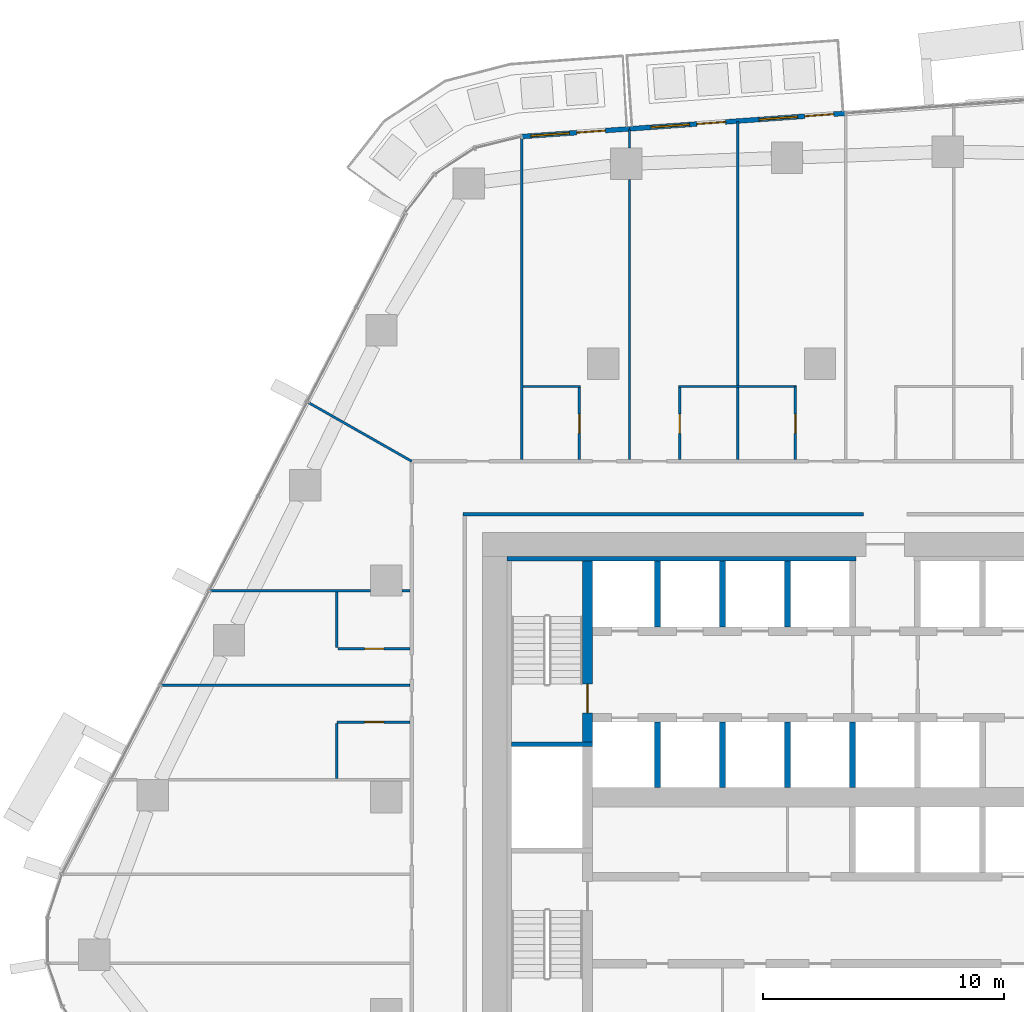
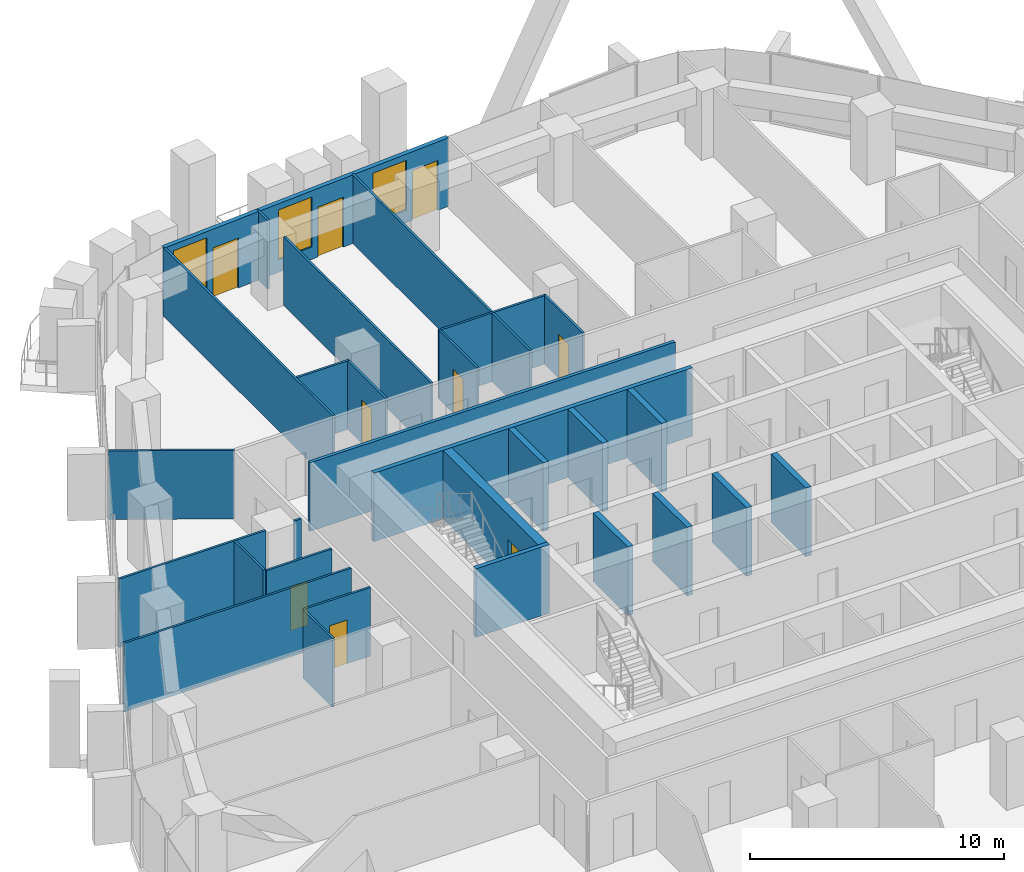
# One storey, part 15 of 24: 31 walls, 9 doors, 3 windows, 12 openings.
"""IFC4 building model written with IfcOpenShell, lengths in metres."""

from ifc_helpers import new_model, si_unit, direction, frame, frame_2d, origin, place, context, subcontext, project, spatial, rectangle, extrude, material, layer, layer_set, type_object, element, fill, save


model = new_model("IFC4")

# Units and contexts
model_context = context("Model", 3, precision=1e-05, world=origin(), true_north=direction((0.0, 1.0)))
body_context = subcontext(model_context, "Body", "Model", "MODEL_VIEW")
ifc_project = project(units=[si_unit("LENGTHUNIT", "METRE"), si_unit("AREAUNIT", "SQUARE_METRE"), si_unit("VOLUMEUNIT", "CUBIC_METRE"), si_unit("PLANEANGLEUNIT", "RADIAN"), si_unit("MASSUNIT", "GRAM", prefix="KILO")], contexts=[model_context])

# Site, building, storey
site_placement = place(None, origin())
site = spatial("IfcSite", under=ifc_project, at=site_placement, CompositionType="ELEMENT")
building_placement = place(site_placement, origin())
building = spatial("IfcBuilding", under=site, at=building_placement, Name="Dongbaek Canopy Tower", CompositionType="ELEMENT")
storey_placement = place(building_placement, frame((0.0, 0.0, 113.699951171875)))
storey = spatial("IfcBuildingStorey", under=building, at=storey_placement, Name="L24", CompositionType="ELEMENT", Elevation=113.699951171875)

# Walls
ifc_material_1 = material(Name="Concrete C60/75", Category="concrete")
ifc_layer_1 = layer(ifc_material_1, 0.199951171875)
ifc_layer_set_1 = layer_set([ifc_layer_1], Name="Core wall lining 200 Concrete C60/75")
wall_type_1 = type_object("IfcWallType", Name="Core wall lining 200 Concrete C60/75", PredefinedType="SHEAR", material=ifc_layer_set_1)
wall_1_placement = place(storey_placement, frame((-13.0, 9.89990234375, 0.0), z_axis=(0.0, 0.0, 1.0), x_axis=(1.0, 0.0, 0.0)))
element("IfcWall", 1, at=wall_1_placement, inside=storey, type_object=wall_type_1, Name="Core wall lining", PredefinedType="SHEAR", context=body_context, shape_type="SweptSolid", body=[
    extrude(rectangle(XDim=14.5, YDim=0.199951171875, at=frame_2d((7.25, 0.0))), origin(), (0.0, 0.0, 1.0), 3.300048828125),
])
ifc_material_2 = material(Name="Gypsum board partition, steel stud, 2 x 15 mm fire board", Category="steel")
ifc_layer_2 = layer(ifc_material_2, 0.14990234375)
ifc_layer_set_2 = layer_set([ifc_layer_2], Name="Fire-rated partition 150 gypsum board")
wall_type_2 = type_object("IfcWallType", Name="Fire-rated partition 150 gypsum board", PredefinedType="PARTITIONING", material=ifc_layer_set_2)
wall_2_placement = place(storey_placement, frame((-14.824951171875, 11.75, 0.0), z_axis=(0.0, 0.0, 1.0), x_axis=(1.0, 0.0, 0.0)))
element("IfcWall", 2, at=wall_2_placement, inside=storey, type_object=wall_type_2, Name="Corridor partition", PredefinedType="PARTITIONING", context=body_context, shape_type="SweptSolid", body=[
    extrude(rectangle(XDim=16.625, YDim=0.14990234375, at=frame_2d((8.3125, 0.0))), origin(), (0.0, 0.0, 1.0), 3.300048828125),
])
ifc_material_3 = material(Name="Concrete C40/50", Category="concrete")
ifc_layer_3 = layer(ifc_material_3, 0.25)
ifc_layer_set_3 = layer_set([ifc_layer_3], Name="Lift shaft wall 250 Concrete C40/50")
wall_type_3 = type_object("IfcWallType", Name="Lift shaft wall 250 Concrete C40/50", PredefinedType="SOLIDWALL", material=ifc_layer_set_3)
for number, where, z_axis, x_axis, name in (
    (3, (1.35009765625, 0.39990234375, 0.0), (0.0, 0.0, 1.0), (0.0, 1.0, 0.0), "Lift shaft wall"),
    (4, (-1.35009765625, 0.39990234375, 0.0), (0.0, 0.0, 1.0), (0.0, 1.0, 0.0), "Lift shaft wall"),
    (5, (-1.35009765625, 7.074951171875, 0.0), (0.0, 0.0, 1.0), (0.0, 1.0, 0.0), "Lift shaft wall"),
    (6, (-4.050048828125, 0.39990234375, 0.0), (0.0, 0.0, 1.0), (0.0, 1.0, 0.0), "Lift shaft wall"),
    (7, (-4.050048828125, 7.074951171875, 0.0), (0.0, 0.0, 1.0), (0.0, 1.0, 0.0), "Lift shaft wall"),
    (8, (-6.75, 0.39990234375, 0.0), (0.0, 0.0, 1.0), (0.0, 1.0, 0.0), "Lift shaft wall"),
    (9, (-6.75, 7.074951171875, 0.0), (0.0, 0.0, 1.0), (0.0, 1.0, 0.0), "Lift shaft wall"),
):
    element("IfcWall", number, at=place(storey_placement, frame(where, z_axis=z_axis, x_axis=x_axis)), inside=storey, type_object=wall_type_3, Name=name, PredefinedType="SOLIDWALL", context=body_context, shape_type="SweptSolid", body=[
        extrude(rectangle(XDim=2.72509765625, YDim=0.25, at=frame_2d((1.362548828125, 0.0))), origin(), (0.0, 0.0, 1.0), 3.300048828125),
    ])

# Wall, opening, door
ifc_material_4 = material(Name="Gypsum board partition, steel stud, 2 x 12.5 mm board", Category="steel")
ifc_layer_4 = layer(ifc_material_4, 0.10009765625)
ifc_layer_set_4 = layer_set([ifc_layer_4], Name="Partition 100 gypsum board")
wall_type_4 = type_object("IfcWallType", Name="Partition 100 gypsum board", PredefinedType="PARTITIONING", material=ifc_layer_set_4)
wall_3_placement = place(storey_placement, frame((-17.02490234375, 3.1240234375, 0.0), z_axis=(0.0, 0.0, 1.0), x_axis=(-1.0, 0.0, 0.0)))
wall_3 = element("IfcWall", 10, at=wall_3_placement, inside=storey, type_object=wall_type_4, Name="Partition", PredefinedType="PARTITIONING", context=body_context, shape_type="SweptSolid", body=[
    extrude(rectangle(XDim=3.025146484375, YDim=0.10009765625, at=frame_2d((1.5126953125, 0.0))), origin(), (0.0, 0.0, 1.0), 3.300048828125),
])
opening_1_placement = place(wall_3_placement, frame((1.074951171875, 0.0, 0.0)))
opening_1 = element("IfcOpeningElement", 11, at=opening_1_placement, cuts=wall_3, Name="Opening L24-D037", PredefinedType="OPENING", context=body_context, shape_type="SweptSolid", body=[
    extrude(rectangle(XDim=0.800048828125, YDim=2.10009765625, at=frame_2d((0.39990234375, 1.050048828125))), frame((0.0, 0.06005859375, 0.0), z_axis=(0.0, -1.0, 0.0), x_axis=(1.0, 0.0, 0.0)), (0.0, 0.0, 1.0), 0.1201171875),
])
ifc_material_5 = material(Name="Timber veneered door leaf", Category="wood")
door_type_1 = type_object("IfcDoorType", Name="En-suite door 800 x 2100", OperationType="SINGLE_SWING_LEFT", PredefinedType="DOOR", material=ifc_material_5)
door_1_placement = place(opening_1_placement, origin())
door_1 = element("IfcDoor", 12, at=door_1_placement, inside=storey, type_object=door_type_1, Name="Door L24-D037", OperationType="SINGLE_SWING_RIGHT", OverallHeight=2.10009765625, OverallWidth=0.800048828125, PredefinedType="DOOR", context=body_context, shape_type="SweptSolid", body=[
    extrude(rectangle(XDim=0.800048828125, YDim=2.10009765625, at=frame_2d((0.39990234375, 1.050048828125))), frame((0.0, 0.02490234375, 0.0), z_axis=(0.0, -1.0, 0.0), x_axis=(1.0, 0.0, 0.0)), (0.0, 0.0, 1.0), 0.050048828125),
])
fill(opening_1, door_1)

# Wall
wall_4_placement = place(storey_placement, frame((-27.369140625, 4.64599609375, 0.0), z_axis=(0.0, 0.0, 1.0), x_axis=(1.0, 0.0, 0.0)))
element("IfcWall", 13, at=wall_4_placement, inside=storey, type_object=wall_type_4, Name="Partition", PredefinedType="PARTITIONING", context=body_context, shape_type="SweptSolid", body=[
    extrude(rectangle(XDim=10.34423828125, YDim=0.10009765625, at=frame_2d((5.172119140625, 0.0))), origin(), (0.0, 0.0, 1.0), 3.300048828125),
])

# Wall, opening, door
wall_5_placement = place(storey_placement, frame((-20.0, 6.16796875, 0.0), z_axis=(0.0, 0.0, 1.0), x_axis=(1.0, 0.0, 0.0)))
wall_5 = element("IfcWall", 14, at=wall_5_placement, inside=storey, type_object=wall_type_4, Name="Partition", PredefinedType="PARTITIONING", context=body_context, shape_type="SweptSolid", body=[
    extrude(rectangle(XDim=2.97509765625, YDim=0.10009765625, at=frame_2d((1.487548828125, 0.0))), origin(), (0.0, 0.0, 1.0), 3.300048828125),
])
opening_2_placement = place(wall_5_placement, frame((1.10009765625, 0.0, 0.0)))
opening_2 = element("IfcOpeningElement", 15, at=opening_2_placement, cuts=wall_5, Name="Opening L24-D035", PredefinedType="OPENING", context=body_context, shape_type="SweptSolid", body=[
    extrude(rectangle(XDim=0.800048828125, YDim=2.10009765625, at=frame_2d((0.39990234375, 1.050048828125))), frame((0.0, 0.06005859375, 0.0), z_axis=(0.0, -1.0, 0.0), x_axis=(1.0, 0.0, 0.0)), (0.0, 0.0, 1.0), 0.1201171875),
])
door_2_placement = place(opening_2_placement, origin())
door_2 = element("IfcDoor", 16, at=door_2_placement, inside=storey, type_object=door_type_1, Name="Door L24-D035", OperationType="SINGLE_SWING_LEFT", OverallHeight=2.10009765625, OverallWidth=0.800048828125, PredefinedType="DOOR", context=body_context, shape_type="SweptSolid", body=[
    extrude(rectangle(XDim=0.800048828125, YDim=2.10009765625, at=frame_2d((0.39990234375, 1.050048828125))), frame((0.0, 0.02490234375, 0.0), z_axis=(0.0, -1.0, 0.0), x_axis=(1.0, 0.0, 0.0)), (0.0, 0.0, 1.0), 0.050048828125),
])
fill(opening_2, door_2)

# Walls
wall_6_placement = place(storey_placement, frame((-25.33251953125, 8.568115234375, 0.0), z_axis=(0.0, 0.0, 1.0), x_axis=(1.0, 0.0, 0.0)))
element("IfcWall", 17, at=wall_6_placement, inside=storey, type_object=wall_type_4, Name="Partition", PredefinedType="PARTITIONING", context=body_context, shape_type="SweptSolid", body=[
    extrude(rectangle(XDim=6.6826171875, YDim=0.10009765625, at=frame_2d((3.34130859375, 0.0))), origin(), (0.0, 0.0, 1.0), 3.300048828125),
])
wall_7_placement = place(storey_placement, frame((-17.35009765625, 8.568115234375, 0.0), z_axis=(0.0, 0.0, 1.0), x_axis=(1.0, 0.0, 0.0)))
element("IfcWall", 18, at=wall_7_placement, inside=storey, type_object=wall_type_4, Name="Partition", PredefinedType="PARTITIONING", context=body_context, shape_type="SweptSolid", body=[
    extrude(rectangle(XDim=0.3251953125, YDim=0.10009765625, at=frame_2d((0.16259765625, 0.0))), origin(), (0.0, 0.0, 1.0), 3.300048828125),
])
wall_8_placement = place(storey_placement, frame((-12.3369140625, 17.050048828125, 0.0), z_axis=(0.0, 0.0, 1.0), x_axis=(1.0, 0.0, 0.0)))
element("IfcWall", 19, at=wall_8_placement, inside=storey, type_object=wall_type_4, Name="Partition", PredefinedType="PARTITIONING", context=body_context, shape_type="SweptSolid", body=[
    extrude(rectangle(XDim=2.400146484375, YDim=0.10009765625, at=frame_2d((1.2001953125, 0.0))), origin(), (0.0, 0.0, 1.0), 3.300048828125),
])
wall_9_placement = place(storey_placement, frame((-5.873046875, 17.050048828125, 0.0), z_axis=(0.0, 0.0, 1.0), x_axis=(1.0, 0.0, 0.0)))
element("IfcWall", 20, at=wall_9_placement, inside=storey, type_object=wall_type_4, Name="Partition", PredefinedType="PARTITIONING", context=body_context, shape_type="SweptSolid", body=[
    extrude(rectangle(XDim=4.89990234375, YDim=0.10009765625, at=frame_2d((2.449951171875, 0.0))), origin(), (0.0, 0.0, 1.0), 3.300048828125),
])

# Wall, opening, door
wall_10_placement = place(storey_placement, frame((-1.02294921875, 14.02490234375, 0.0), z_axis=(0.0, 0.0, 1.0), x_axis=(0.0, 1.0, 0.0)))
wall_10 = element("IfcWall", 21, at=wall_10_placement, inside=storey, type_object=wall_type_4, Name="Partition", PredefinedType="PARTITIONING", context=body_context, shape_type="SweptSolid", body=[
    extrude(rectangle(XDim=3.025146484375, YDim=0.10009765625, at=frame_2d((1.5126953125, 0.0))), origin(), (0.0, 0.0, 1.0), 3.300048828125),
])
opening_3_placement = place(wall_10_placement, frame((1.074951171875, 0.0, 0.0)))
opening_3 = element("IfcOpeningElement", 22, at=opening_3_placement, cuts=wall_10, Name="Opening L24-D027", PredefinedType="OPENING", context=body_context, shape_type="SweptSolid", body=[
    extrude(rectangle(XDim=0.800048828125, YDim=2.10009765625, at=frame_2d((0.39990234375, 1.050048828125))), frame((0.0, 0.06005859375, 0.0), z_axis=(0.0, -1.0, 0.0), x_axis=(1.0, 0.0, 0.0)), (0.0, 0.0, 1.0), 0.1201171875),
])
door_3_placement = place(opening_3_placement, origin())
door_3 = element("IfcDoor", 23, at=door_3_placement, inside=storey, type_object=door_type_1, Name="Door L24-D027", OperationType="SINGLE_SWING_RIGHT", OverallHeight=2.10009765625, OverallWidth=0.800048828125, PredefinedType="DOOR", context=body_context, shape_type="SweptSolid", body=[
    extrude(rectangle(XDim=0.800048828125, YDim=2.10009765625, at=frame_2d((0.39990234375, 1.050048828125))), frame((0.0, 0.02490234375, 0.0), z_axis=(0.0, -1.0, 0.0), x_axis=(1.0, 0.0, 0.0)), (0.0, 0.0, 1.0), 0.050048828125),
])
fill(opening_3, door_3)

# Walls
wall_11_placement = place(storey_placement, frame((-3.423095703125, 14.02490234375, 0.0), z_axis=(0.0, 0.0, 1.0), x_axis=(0.0, 1.0, 0.0)))
element("IfcWall", 24, at=wall_11_placement, inside=storey, type_object=wall_type_4, Name="Partition", PredefinedType="PARTITIONING", context=body_context, shape_type="SweptSolid", body=[
    extrude(rectangle(XDim=2.97509765625, YDim=0.10009765625, at=frame_2d((1.487548828125, 0.0))), origin(), (0.0, 0.0, 1.0), 3.300048828125),
])
wall_12_placement = place(storey_placement, frame((-3.423095703125, 17.10009765625, 0.0), z_axis=(0.0, 0.0, 1.0), x_axis=(0.0, 1.0, 0.0)))
element("IfcWall", 25, at=wall_12_placement, inside=storey, type_object=wall_type_4, Name="Partition", PredefinedType="PARTITIONING", context=body_context, shape_type="SweptSolid", body=[
    extrude(rectangle(XDim=10.946044921875, YDim=0.10009765625, at=frame_2d((5.47314453125, 0.0))), origin(), (0.0, 0.0, 1.0), 3.300048828125),
])

# Wall, opening, door
wall_13_placement = place(storey_placement, frame((-5.822998046875, 17.0, 0.0), z_axis=(0.0, 0.0, 1.0), x_axis=(0.0, -1.0, 0.0)))
wall_13 = element("IfcWall", 26, at=wall_13_placement, inside=storey, type_object=wall_type_4, Name="Partition", PredefinedType="PARTITIONING", context=body_context, shape_type="SweptSolid", body=[
    extrude(rectangle(XDim=2.97509765625, YDim=0.10009765625, at=frame_2d((1.487548828125, 0.0))), origin(), (0.0, 0.0, 1.0), 3.300048828125),
])
opening_4_placement = place(wall_13_placement, frame((1.10009765625, 0.0, 0.0)))
opening_4 = element("IfcOpeningElement", 27, at=opening_4_placement, cuts=wall_13, Name="Opening L24-D029", PredefinedType="OPENING", context=body_context, shape_type="SweptSolid", body=[
    extrude(rectangle(XDim=0.800048828125, YDim=2.10009765625, at=frame_2d((0.39990234375, 1.050048828125))), frame((0.0, 0.06005859375, 0.0), z_axis=(0.0, -1.0, 0.0), x_axis=(1.0, 0.0, 0.0)), (0.0, 0.0, 1.0), 0.1201171875),
])
door_4_placement = place(opening_4_placement, origin())
door_4 = element("IfcDoor", 28, at=door_4_placement, inside=storey, type_object=door_type_1, Name="Door L24-D029", OperationType="SINGLE_SWING_LEFT", OverallHeight=2.10009765625, OverallWidth=0.800048828125, PredefinedType="DOOR", context=body_context, shape_type="SweptSolid", body=[
    extrude(rectangle(XDim=0.800048828125, YDim=2.10009765625, at=frame_2d((0.39990234375, 1.050048828125))), frame((0.0, 0.02490234375, 0.0), z_axis=(0.0, -1.0, 0.0), x_axis=(1.0, 0.0, 0.0)), (0.0, 0.0, 1.0), 0.050048828125),
])
fill(opening_4, door_4)

# Walls
wall_14_placement = place(storey_placement, frame((-7.908935546875, 14.02490234375, 0.0), z_axis=(0.0, 0.0, 1.0), x_axis=(0.0, 1.0, 0.0)))
element("IfcWall", 29, at=wall_14_placement, inside=storey, type_object=wall_type_4, Name="Partition", PredefinedType="PARTITIONING", context=body_context, shape_type="SweptSolid", body=[
    extrude(rectangle(XDim=11.613037109375, YDim=0.10009765625, at=frame_2d((5.806640625, 0.0))), origin(), (0.0, 0.0, 1.0), 3.300048828125),
])
wall_15_placement = place(storey_placement, frame((-7.908935546875, 26.93798828125, 0.0), z_axis=(0.0, 0.0, 1.0), x_axis=(0.0, 1.0, 0.0)))
element("IfcWall", 30, at=wall_15_placement, inside=storey, type_object=wall_type_4, Name="Partition", PredefinedType="PARTITIONING", context=body_context, shape_type="SweptSolid", body=[
    extrude(rectangle(XDim=0.785400390625, YDim=0.10009765625, at=frame_2d((0.392578125, 0.0))), origin(), (0.0, 0.0, 1.0), 3.300048828125),
])

# Wall, opening, door
wall_16_placement = place(storey_placement, frame((-9.987060546875, 14.02490234375, 0.0), z_axis=(0.0, 0.0, 1.0), x_axis=(0.0, 1.0, 0.0)))
wall_16 = element("IfcWall", 31, at=wall_16_placement, inside=storey, type_object=wall_type_4, Name="Partition", PredefinedType="PARTITIONING", context=body_context, shape_type="SweptSolid", body=[
    extrude(rectangle(XDim=2.97509765625, YDim=0.10009765625, at=frame_2d((1.487548828125, 0.0))), origin(), (0.0, 0.0, 1.0), 3.300048828125),
])
opening_5_placement = place(wall_16_placement, frame((1.074951171875, 0.0, 0.0)))
opening_5 = element("IfcOpeningElement", 32, at=opening_5_placement, cuts=wall_16, Name="Opening L24-D031", PredefinedType="OPENING", context=body_context, shape_type="SweptSolid", body=[
    extrude(rectangle(XDim=0.800048828125, YDim=2.10009765625, at=frame_2d((0.39990234375, 1.050048828125))), frame((0.0, 0.06005859375, 0.0), z_axis=(0.0, -1.0, 0.0), x_axis=(1.0, 0.0, 0.0)), (0.0, 0.0, 1.0), 0.1201171875),
])
door_5_placement = place(opening_5_placement, origin())
door_5 = element("IfcDoor", 33, at=door_5_placement, inside=storey, type_object=door_type_1, Name="Door L24-D031", OperationType="SINGLE_SWING_RIGHT", OverallHeight=2.10009765625, OverallWidth=0.800048828125, PredefinedType="DOOR", context=body_context, shape_type="SweptSolid", body=[
    extrude(rectangle(XDim=0.800048828125, YDim=2.10009765625, at=frame_2d((0.39990234375, 1.050048828125))), frame((0.0, 0.02490234375, 0.0), z_axis=(0.0, -1.0, 0.0), x_axis=(1.0, 0.0, 0.0)), (0.0, 0.0, 1.0), 0.050048828125),
])
fill(opening_5, door_5)

# Walls
wall_17_placement = place(storey_placement, frame((-12.386962890625, 14.02490234375, 0.0), z_axis=(0.0, 0.0, 1.0), x_axis=(0.0, 1.0, 0.0)))
element("IfcWall", 34, at=wall_17_placement, inside=storey, type_object=wall_type_4, Name="Partition", PredefinedType="PARTITIONING", context=body_context, shape_type="SweptSolid", body=[
    extrude(rectangle(XDim=13.3759765625, YDim=0.10009765625, at=frame_2d((6.68798828125, 0.0))), origin(), (0.0, 0.0, 1.0), 3.300048828125),
])
wall_18_placement = place(storey_placement, frame((-20.050048828125, 0.77392578125, 0.0), z_axis=(0.0, 0.0, 1.0), x_axis=(0.0, 1.0, 0.0)))
element("IfcWall", 35, at=wall_18_placement, inside=storey, type_object=wall_type_4, Name="Partition", PredefinedType="PARTITIONING", context=body_context, shape_type="SweptSolid", body=[
    extrude(rectangle(XDim=2.300048828125, YDim=0.10009765625, at=frame_2d((1.14990234375, 0.0))), origin(), (0.0, 0.0, 1.0), 3.300048828125),
])
wall_19_placement = place(storey_placement, frame((-20.050048828125, 6.2177734375, 0.0), z_axis=(0.0, 0.0, 1.0), x_axis=(0.0, 1.0, 0.0)))
element("IfcWall", 36, at=wall_19_placement, inside=storey, type_object=wall_type_4, Name="Partition", PredefinedType="PARTITIONING", context=body_context, shape_type="SweptSolid", body=[
    extrude(rectangle(XDim=2.2998046875, YDim=0.10009765625, at=frame_2d((1.14990234375, 0.0))), origin(), (0.0, 0.0, 1.0), 3.300048828125),
])
wall_20_placement = place(storey_placement, frame((-21.26416015625, 16.4013671875, 0.0), z_axis=(0.0, 0.0, 1.0), x_axis=(0.869409483432, -0.494092248592, 0.0)))
element("IfcWall", 37, at=wall_20_placement, inside=storey, type_object=wall_type_4, Name="Partition", PredefinedType="PARTITIONING", context=body_context, shape_type="SweptSolid", body=[
    extrude(rectangle(XDim=4.9619140625, YDim=0.10009765625, at=frame_2d((2.48095703125, 0.0))), origin(), (0.0, 0.0, 1.0), 3.300048828125),
])
ifc_material_6 = material(Name="Concrete C60/75", Category="concrete")
ifc_layer_5 = layer(ifc_material_6, 0.199951171875)
ifc_layer_set_5 = layer_set([ifc_layer_5], Name="Riser wall 200 Concrete C60/75")
wall_type_5 = type_object("IfcWallType", Name="Riser wall 200 Concrete C60/75", PredefinedType="SHEAR", material=ifc_layer_set_5)
wall_21_placement = place(storey_placement, frame((-9.449951171875, 2.199951171875, 0.0), z_axis=(0.0, 0.0, 1.0), x_axis=(-1.0, 0.0, 0.0)))
element("IfcWall", 38, at=wall_21_placement, inside=storey, type_object=wall_type_5, Name="Riser wall", PredefinedType="SHEAR", context=body_context, shape_type="SweptSolid", body=[
    extrude(rectangle(XDim=3.35009765625, YDim=0.199951171875, at=frame_2d((1.675048828125, 0.0))), origin(), (0.0, 0.0, 1.0), 3.300048828125),
])

# Wall, opening, door
ifc_material_7 = material(Name="Concrete C60/75", Category="concrete")
ifc_layer_6 = layer(ifc_material_7, 0.39990234375)
ifc_layer_set_6 = layer_set([ifc_layer_6], Name="Stair wall 400 Concrete C60/75")
wall_type_6 = type_object("IfcWallType", Name="Stair wall 400 Concrete C60/75", PredefinedType="SHEAR", material=ifc_layer_set_6)
wall_22_placement = place(storey_placement, frame((-9.64990234375, 2.300048828125, 0.0), z_axis=(0.0, 0.0, 1.0), x_axis=(0.0, 1.0, 0.0)))
wall_22 = element("IfcWall", 39, at=wall_22_placement, inside=storey, type_object=wall_type_6, Name="Stair wall", PredefinedType="SHEAR", context=body_context, shape_type="SweptSolid", body=[
    extrude(rectangle(XDim=7.5, YDim=0.39990234375, at=frame_2d((3.75, 0.0))), origin(), (0.0, 0.0, 1.0), 3.300048828125),
])
opening_6_placement = place(wall_22_placement, frame((1.199951171875, 0.0, 0.0)))
opening_6 = element("IfcOpeningElement", 40, at=opening_6_placement, cuts=wall_22, Name="Opening L24-D066", PredefinedType="OPENING", context=body_context, shape_type="SweptSolid", body=[
    extrude(rectangle(XDim=1.199951171875, YDim=2.10009765625, at=frame_2d((0.60009765625, 1.050048828125))), frame((0.0, 0.2099609375, 0.0), z_axis=(0.0, -1.0, 0.0), x_axis=(1.0, 0.0, 0.0)), (0.0, 0.0, 1.0), 0.419921875),
])
ifc_material_8 = material(Name="Steel", Category="steel")
door_type_2 = type_object("IfcDoorType", Name="Stair door 1200 x 2100", OperationType="SINGLE_SWING_LEFT", PredefinedType="DOOR", material=ifc_material_8)
door_6_placement = place(opening_6_placement, origin())
door_6 = element("IfcDoor", 41, at=door_6_placement, inside=storey, type_object=door_type_2, Name="Stair C door", OperationType="SINGLE_SWING_RIGHT", OverallHeight=2.10009765625, OverallWidth=1.199951171875, PredefinedType="DOOR", context=body_context, shape_type="SweptSolid", body=[
    extrude(rectangle(XDim=1.199951171875, YDim=2.10009765625, at=frame_2d((0.60009765625, 1.050048828125))), frame((0.0, 0.02490234375, 0.0), z_axis=(0.0, -1.0, 0.0), x_axis=(1.0, 0.0, 0.0)), (0.0, 0.0, 1.0), 0.050048828125),
])
fill(opening_6, door_6)

# Wall, openings, doors, windows
ifc_material_9 = material(Name="Aluminium window wall", Category="aluminium")
ifc_layer_7 = layer(ifc_material_9, 0.199951171875)
ifc_layer_set_7 = layer_set([ifc_layer_7], Name="Window wall 200")
wall_type_7 = type_object("IfcWallType", Name="Window wall 200", PredefinedType="SOLIDWALL", material=ifc_layer_set_7)
wall_23_placement = place(storey_placement, frame((1.06298828125, 28.388916015625, 0.0), z_axis=(0.0, 0.0, 1.0), x_axis=(-0.997421921005, -0.071760096847, 0.0)))
wall_23 = element("IfcWall", 42, at=wall_23_placement, inside=storey, type_object=wall_type_7, Name="Window wall L24 2", PredefinedType="SOLIDWALL", context=body_context, shape_type="SweptSolid", body=[
    extrude(rectangle(XDim=8.995361328125, YDim=0.199951171875, at=frame_2d((4.49755859375, 0.0))), origin(), (0.0, 0.0, 1.0), 3.300048828125),
])
opening_7_placement = place(wall_23_placement, frame((2.0, 0.0, 0.60009765625)))
opening_7 = element("IfcOpeningElement", 43, at=opening_7_placement, cuts=wall_23, Name="Opening W1", PredefinedType="OPENING", context=body_context, shape_type="SweptSolid", body=[
    extrude(rectangle(XDim=1.60009765625, YDim=2.39990234375, at=frame_2d((0.800048828125, 1.199951171875))), frame((0.0, 0.10986328125, 0.0), z_axis=(0.0, -1.0, 0.0), x_axis=(1.0, 0.0, 0.0)), (0.0, 0.0, 1.0), 0.219970703125),
])
opening_8_placement = place(wall_23_placement, frame((0.5, 0.0, 0.0)))
opening_8 = element("IfcOpeningElement", 44, at=opening_8_placement, cuts=wall_23, Name="Opening L24-B04", PredefinedType="OPENING", context=body_context, shape_type="SweptSolid", body=[
    extrude(rectangle(XDim=1.199951171875, YDim=2.39990234375, at=frame_2d((0.60009765625, 1.199951171875))), frame((0.0, 0.10986328125, 0.0), z_axis=(0.0, -1.0, 0.0), x_axis=(1.0, 0.0, 0.0)), (0.0, 0.0, 1.0), 0.219970703125),
])
opening_9_placement = place(wall_23_placement, frame((6.49755859375, 0.0, 0.60009765625)))
opening_9 = element("IfcOpeningElement", 45, at=opening_9_placement, cuts=wall_23, Name="Opening W1", PredefinedType="OPENING", context=body_context, shape_type="SweptSolid", body=[
    extrude(rectangle(XDim=1.60009765625, YDim=2.39990234375, at=frame_2d((0.800048828125, 1.199951171875))), frame((0.0, 0.10986328125, 0.0), z_axis=(0.0, -1.0, 0.0), x_axis=(1.0, 0.0, 0.0)), (0.0, 0.0, 1.0), 0.219970703125),
])
opening_10_placement = place(wall_23_placement, frame((4.99755859375, 0.0, 0.0)))
opening_10 = element("IfcOpeningElement", 46, at=opening_10_placement, cuts=wall_23, Name="Opening L24-B05", PredefinedType="OPENING", context=body_context, shape_type="SweptSolid", body=[
    extrude(rectangle(XDim=1.199951171875, YDim=2.39990234375, at=frame_2d((0.60009765625, 1.199951171875))), frame((0.0, 0.10986328125, 0.0), z_axis=(0.0, -1.0, 0.0), x_axis=(1.0, 0.0, 0.0)), (0.0, 0.0, 1.0), 0.219970703125),
])
ifc_material_10 = material(Name="Clear glazing in aluminium frame", Category="aluminium")
door_type_3 = type_object("IfcDoorType", Name="Balcony door BD1 1200 x 2400", OperationType="SLIDING_TO_LEFT", PredefinedType="DOOR", material=ifc_material_10)
door_7_placement = place(opening_8_placement, origin())
door_7 = element("IfcDoor", 47, at=door_7_placement, inside=storey, type_object=door_type_3, Name="Balcony door L24-B04", OperationType="SLIDING_TO_LEFT", OverallHeight=2.39990234375, OverallWidth=1.199951171875, PredefinedType="DOOR", context=body_context, shape_type="SweptSolid", body=[
    extrude(rectangle(XDim=1.199951171875, YDim=2.39990234375, at=frame_2d((0.60009765625, 1.199951171875))), frame((0.0, 0.02490234375, 0.0), z_axis=(0.0, -1.0, 0.0), x_axis=(1.0, 0.0, 0.0)), (0.0, 0.0, 1.0), 0.050048828125),
])
fill(opening_8, door_7)
door_8_placement = place(opening_10_placement, origin())
door_8 = element("IfcDoor", 48, at=door_8_placement, inside=storey, type_object=door_type_3, Name="Balcony door L24-B05", OperationType="SLIDING_TO_LEFT", OverallHeight=2.39990234375, OverallWidth=1.199951171875, PredefinedType="DOOR", context=body_context, shape_type="SweptSolid", body=[
    extrude(rectangle(XDim=1.199951171875, YDim=2.39990234375, at=frame_2d((0.60009765625, 1.199951171875))), frame((0.0, 0.02490234375, 0.0), z_axis=(0.0, -1.0, 0.0), x_axis=(1.0, 0.0, 0.0)), (0.0, 0.0, 1.0), 0.050048828125),
])
fill(opening_10, door_8)
ifc_material_11 = material(Name="Clear glazing in aluminium frame", Category="aluminium")
window_type = type_object("IfcWindowType", Name="Window W1 1600 x 2400", PartitioningType="SINGLE_PANEL", PredefinedType="WINDOW", material=ifc_material_11)
window_1_placement = place(opening_7_placement, origin())
window_1 = element("IfcWindow", 49, at=window_1_placement, inside=storey, type_object=window_type, Name="Window L24 2.1", OverallHeight=2.39990234375, OverallWidth=1.60009765625, PartitioningType="SINGLE_PANEL", PredefinedType="WINDOW", context=body_context, shape_type="SweptSolid", body=[
    extrude(rectangle(XDim=1.60009765625, YDim=2.39990234375, at=frame_2d((0.800048828125, 1.199951171875))), frame((0.0, 0.030029296875, 0.0), z_axis=(0.0, -1.0, 0.0), x_axis=(1.0, 0.0, 0.0)), (0.0, 0.0, 1.0), 0.06005859375),
])
fill(opening_7, window_1)
window_2_placement = place(opening_9_placement, origin())
window_2 = element("IfcWindow", 50, at=window_2_placement, inside=storey, type_object=window_type, Name="Window L24 2.2", OverallHeight=2.39990234375, OverallWidth=1.60009765625, PartitioningType="SINGLE_PANEL", PredefinedType="WINDOW", context=body_context, shape_type="SweptSolid", body=[
    extrude(rectangle(XDim=1.60009765625, YDim=2.39990234375, at=frame_2d((0.800048828125, 1.199951171875))), frame((0.0, 0.030029296875, 0.0), z_axis=(0.0, -1.0, 0.0), x_axis=(1.0, 0.0, 0.0)), (0.0, 0.0, 1.0), 0.06005859375),
])
fill(opening_9, window_2)

# Wall, openings, door, window
wall_24_placement = place(storey_placement, frame((-7.9091796875, 27.743408203125, 0.0), z_axis=(0.0, 0.0, 1.0), x_axis=(-0.997423796537, -0.071734023317, 0.0)))
wall_24 = element("IfcWall", 51, at=wall_24_placement, inside=storey, type_object=wall_type_7, Name="Window wall L24 7", PredefinedType="SOLIDWALL", context=body_context, shape_type="SweptSolid", body=[
    extrude(rectangle(XDim=4.489013671875, YDim=0.199951171875, at=frame_2d((2.24462890625, 0.0))), origin(), (0.0, 0.0, 1.0), 3.300048828125),
])
opening_11_placement = place(wall_24_placement, frame((2.5, 0.0, 0.60009765625)))
opening_11 = element("IfcOpeningElement", 52, at=opening_11_placement, cuts=wall_24, Name="Opening W1", PredefinedType="OPENING", context=body_context, shape_type="SweptSolid", body=[
    extrude(rectangle(XDim=1.60009765625, YDim=2.39990234375, at=frame_2d((0.800048828125, 1.199951171875))), frame((0.0, 0.10986328125, 0.0), z_axis=(0.0, -1.0, 0.0), x_axis=(1.0, 0.0, 0.0)), (0.0, 0.0, 1.0), 0.219970703125),
])
opening_12_placement = place(wall_24_placement, frame((1.0, 0.0, 0.0)))
opening_12 = element("IfcOpeningElement", 53, at=opening_12_placement, cuts=wall_24, Name="Opening L24-B06", PredefinedType="OPENING", context=body_context, shape_type="SweptSolid", body=[
    extrude(rectangle(XDim=1.199951171875, YDim=2.39990234375, at=frame_2d((0.60009765625, 1.199951171875))), frame((0.0, 0.10986328125, 0.0), z_axis=(0.0, -1.0, 0.0), x_axis=(1.0, 0.0, 0.0)), (0.0, 0.0, 1.0), 0.219970703125),
])
door_9_placement = place(opening_12_placement, origin())
door_9 = element("IfcDoor", 54, at=door_9_placement, inside=storey, type_object=door_type_3, Name="Balcony door L24-B06", OperationType="SLIDING_TO_LEFT", OverallHeight=2.39990234375, OverallWidth=1.199951171875, PredefinedType="DOOR", context=body_context, shape_type="SweptSolid", body=[
    extrude(rectangle(XDim=1.199951171875, YDim=2.39990234375, at=frame_2d((0.60009765625, 1.199951171875))), frame((0.0, 0.02490234375, 0.0), z_axis=(0.0, -1.0, 0.0), x_axis=(1.0, 0.0, 0.0)), (0.0, 0.0, 1.0), 0.050048828125),
])
fill(opening_12, door_9)
window_3_placement = place(opening_11_placement, origin())
window_3 = element("IfcWindow", 55, at=window_3_placement, inside=storey, type_object=window_type, Name="Window L24 7.1", OverallHeight=2.39990234375, OverallWidth=1.60009765625, PartitioningType="SINGLE_PANEL", PredefinedType="WINDOW", context=body_context, shape_type="SweptSolid", body=[
    extrude(rectangle(XDim=1.60009765625, YDim=2.39990234375, at=frame_2d((0.800048828125, 1.199951171875))), frame((0.0, 0.030029296875, 0.0), z_axis=(0.0, -1.0, 0.0), x_axis=(1.0, 0.0, 0.0)), (0.0, 0.0, 1.0), 0.06005859375),
])
fill(opening_11, window_3)

save(model, "model.ifc")
